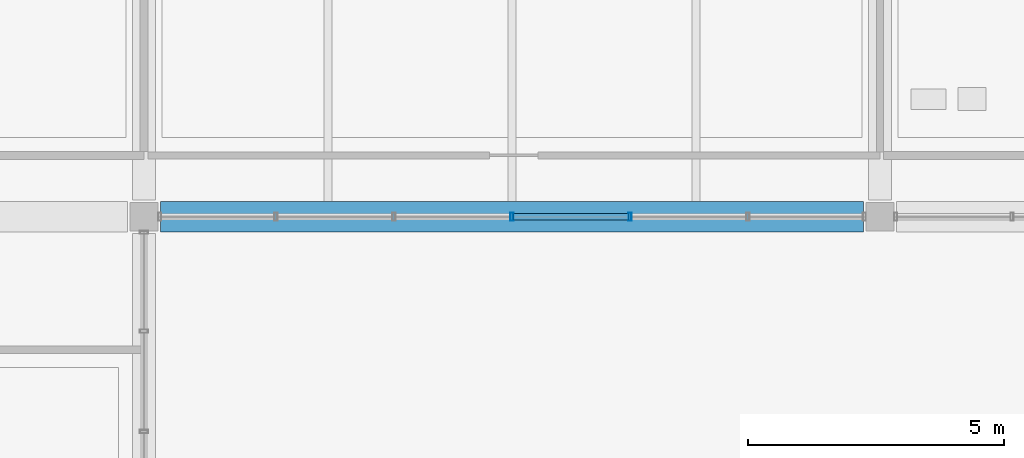
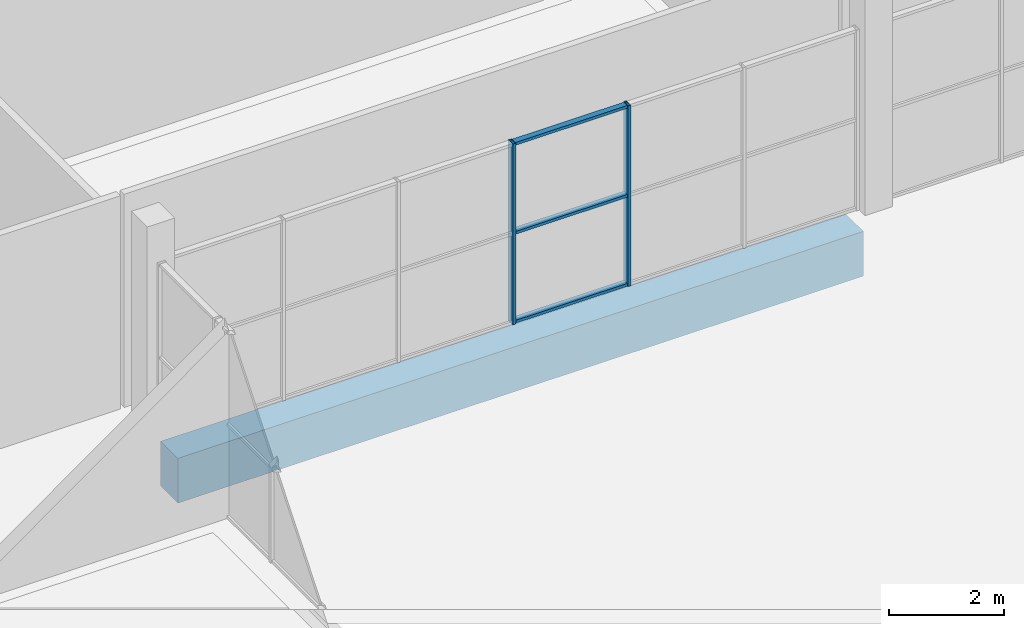
# One storey, part 23 of 130: 5 members, 1 beam, 1 element without a shape of its own.
"""IFC4 building model written with IfcOpenShell, lengths in metres."""

from ifc_helpers import new_model, si_unit, direction, frame, origin, origin_2d, place, context, subcontext, project, spatial, rectangle, hollow_rectangle, extrude, material, material_profile, profile_set, type_object, element, aggregate, save


model = new_model("IFC4")

# Units and contexts
model_context = context("Model", 3, precision=1e-05, world=origin(), true_north=direction((0.0, 1.0)))
body_context = subcontext(model_context, "Body", "Model", "MODEL_VIEW")
ifc_project = project(units=[si_unit("LENGTHUNIT", "METRE"), si_unit("AREAUNIT", "SQUARE_METRE"), si_unit("VOLUMEUNIT", "CUBIC_METRE"), si_unit("PLANEANGLEUNIT", "RADIAN"), si_unit("MASSUNIT", "GRAM", prefix="KILO"), si_unit("THERMODYNAMICTEMPERATUREUNIT", "KELVIN")], contexts=[model_context])

# Site, building, storey
site_placement = place(None, origin())
site = spatial("IfcSite", under=ifc_project, at=site_placement, CompositionType="ELEMENT")
building_placement = place(site_placement, origin())
building = spatial("IfcBuilding", under=site, at=building_placement, Name="Nduvali Passage Aquatics Centre", CompositionType="ELEMENT")
storey_placement = place(building_placement, origin())
storey = spatial("IfcBuildingStorey", under=building, at=storey_placement, Name="L00", CompositionType="ELEMENT", Elevation=0.0)

# Curtain wall, members
ifc_material_1 = material(Name="Aluminium EN AW-6063 T6", Category="aluminium")
curtain_wall_type = type_object("IfcCurtainWallType", Name="ENV-CW-COUR", PredefinedType="NOTDEFINED", material=ifc_material_1)
curtain_wall_placement = place(storey_placement, origin())
curtain_wall = element("IfcCurtainWall", 1, at=curtain_wall_placement, inside=storey, type_object=curtain_wall_type, Name="L00 Monsoon Courtyard Cloister CW 163", PredefinedType="NOTDEFINED")
ifc_material_profile_1 = material_profile(ifc_material_1, hollow_rectangle(XDim=0.06005859375, YDim=0.159912109375, WallThickness=0.00390625, at=origin_2d()), Name="ALU MULLION 60x160x4")
ifc_profile_set_1 = profile_set([ifc_material_profile_1], Name="Aluminium EN AW-6063 T6")
member_type_1 = type_object("IfcMemberType", Name="ENV-MEM-MUL60", PredefinedType="MULLION", material=ifc_profile_set_1)
member_1_placement = place(storey_placement, frame((75.60009765625, 16.800048828125, 0.0), z_axis=(0.0, 0.0, 1.0), x_axis=(1.0, 0.0, 0.0)))
member_1 = element("IfcMember", 2, at=member_1_placement, type_object=member_type_1, Name="Monsoon Courtyard Cloister CW Mullion 4", PredefinedType="MULLION", context=body_context, shape_type="SweptSolid", body=[
    extrude(hollow_rectangle(XDim=0.06005859375, YDim=0.159912109375, WallThickness=0.00390625, at=origin_2d()), origin(), (0.0, 0.0, 1.0), 3.83251953125),
])
member_2_placement = place(storey_placement, frame((77.908203125, 16.800048828125, 0.0), z_axis=(0.0, 0.0, 1.0), x_axis=(1.0, 0.0, 0.0)))
member_2 = element("IfcMember", 3, at=member_2_placement, type_object=member_type_1, Name="Monsoon Courtyard Cloister CW Mullion 5", PredefinedType="MULLION", context=body_context, shape_type="SweptSolid", body=[
    extrude(hollow_rectangle(XDim=0.06005859375, YDim=0.159912109375, WallThickness=0.00390625, at=origin_2d()), origin(), (0.0, 0.0, 1.0), 3.83251953125),
])
ifc_material_profile_2 = material_profile(ifc_material_1, hollow_rectangle(XDim=0.1201171875, YDim=0.06005859375, WallThickness=0.00390625, at=origin_2d()), Name="ALU TRANSOM 120x60x4")
ifc_profile_set_2 = profile_set([ifc_material_profile_2], Name="Aluminium EN AW-6063 T6")
member_type_2 = type_object("IfcMemberType", Name="ENV-MEM-TRN60", PredefinedType="USERDEFINED", material=ifc_profile_set_2)
member_3_placement = place(storey_placement, frame((75.6298828125, 16.800048828125, 0.030029296875), z_axis=(1.0, 0.0, 0.0), x_axis=(0.0, 1.0, 0.0)))
member_3 = element("IfcMember", 4, at=member_3_placement, type_object=member_type_2, Name="Monsoon Courtyard Cloister CW Transom B4-R0", ObjectType="TRANSOM", PredefinedType="USERDEFINED", context=body_context, shape_type="SweptSolid", body=[
    extrude(hollow_rectangle(XDim=0.1201171875, YDim=0.06005859375, WallThickness=0.00390625, at=origin_2d()), origin(), (0.0, 0.0, 1.0), 2.24853515625),
])
member_4_placement = place(storey_placement, frame((75.6298828125, 16.800048828125, 1.916259765625), z_axis=(1.0, 0.0, 0.0), x_axis=(0.0, 1.0, 0.0)))
member_4 = element("IfcMember", 5, at=member_4_placement, type_object=member_type_2, Name="Monsoon Courtyard Cloister CW Transom B4-R1", ObjectType="TRANSOM", PredefinedType="USERDEFINED", context=body_context, shape_type="SweptSolid", body=[
    extrude(hollow_rectangle(XDim=0.1201171875, YDim=0.06005859375, WallThickness=0.00390625, at=origin_2d()), origin(), (0.0, 0.0, 1.0), 2.24853515625),
])
member_5_placement = place(storey_placement, frame((75.6298828125, 16.800048828125, 3.802490234375), z_axis=(1.0, 0.0, 0.0), x_axis=(0.0, 1.0, 0.0)))
member_5 = element("IfcMember", 6, at=member_5_placement, type_object=member_type_2, Name="Monsoon Courtyard Cloister CW Transom B4-R2", ObjectType="TRANSOM", PredefinedType="USERDEFINED", context=body_context, shape_type="SweptSolid", body=[
    extrude(hollow_rectangle(XDim=0.1201171875, YDim=0.06005859375, WallThickness=0.00390625, at=origin_2d()), origin(), (0.0, 0.0, 1.0), 2.24853515625),
])
aggregate(curtain_wall, [member_1, member_2, member_3, member_4, member_5])

# Beam
ifc_material_2 = material(Name="Concrete C40/50", Category="concrete")
ifc_material_profile_3 = material_profile(ifc_material_2, rectangle(XDim=0.60009765625, YDim=0.949951171875, at=origin_2d()), Name="RC 600x950")
ifc_profile_set_3 = profile_set([ifc_material_profile_3], Name="Concrete C40/50")
beam_type = type_object("IfcBeamType", Name="STR-BM-RC6095", PredefinedType="BEAM", material=ifc_profile_set_3)
beam_placement = place(storey_placement, frame((68.72509765625, 16.800048828125, -0.77490234375), z_axis=(1.0, 0.0, 0.0), x_axis=(0.0, 1.0, 0.0)))
element("IfcBeam", 7, at=beam_placement, inside=storey, type_object=beam_type, Name="L00 Primary X-Girder B1-0011", PredefinedType="BEAM", context=body_context, shape_type="SweptSolid", body=[
    extrude(rectangle(XDim=0.60009765625, YDim=0.949951171875, at=origin_2d()), origin(), (0.0, 0.0, 1.0), 13.75),
])

save(model, "model.ifc")
